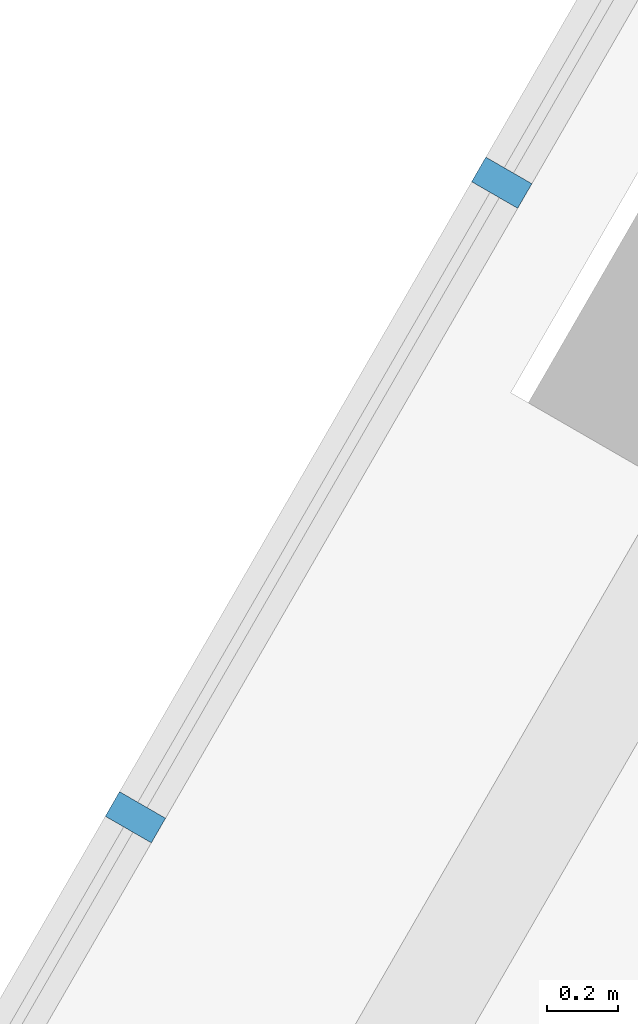
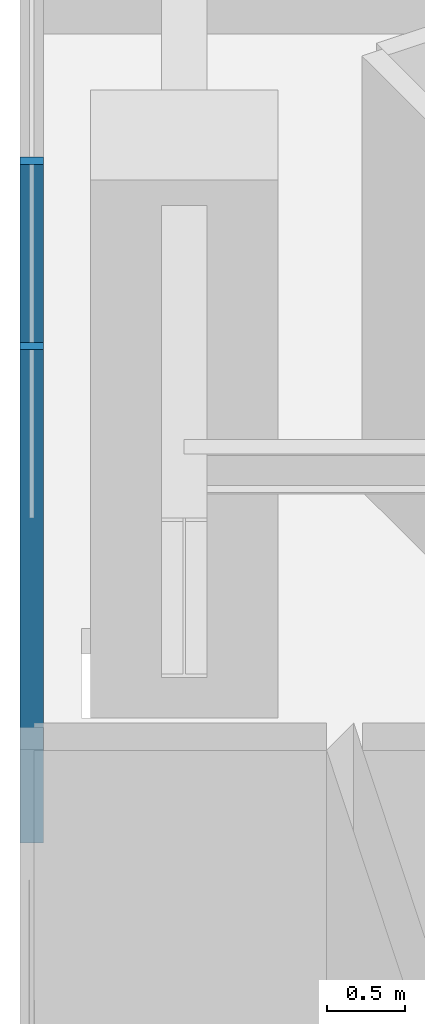
# One storey, part 6 of 29: 2 members, 1 element without a shape of its own.
"""IFC4 building model written with IfcOpenShell, lengths in metres."""

from ifc_helpers import new_model, si_unit, direction, frame, origin, origin_2d, place, context, subcontext, project, spatial, rectangle, extrude, material, layer, layer_set, material_profile, profile_set, type_object, element, aggregate, save


model = new_model("IFC4")

# Units and contexts
model_context = context("Model", 3, precision=1e-05, world=origin(), true_north=direction((0.0, 1.0)))
body_context = subcontext(model_context, "Body", "Model", "MODEL_VIEW")
ifc_project = project(units=[si_unit("LENGTHUNIT", "METRE"), si_unit("AREAUNIT", "SQUARE_METRE"), si_unit("VOLUMEUNIT", "CUBIC_METRE"), si_unit("PLANEANGLEUNIT", "RADIAN"), si_unit("MASSUNIT", "GRAM", prefix="KILO")], contexts=[model_context])

# Site, building, storey
site_placement = place(None, origin())
site = spatial("IfcSite", under=ifc_project, at=site_placement, CompositionType="ELEMENT")
building_placement = place(site_placement, origin())
building = spatial("IfcBuilding", under=site, at=building_placement, Name="Firuza Gate Tower and Library", CompositionType="ELEMENT")
storey_placement = place(building_placement, frame((0.0, 0.0, 48.39990234375)))
storey = spatial("IfcBuildingStorey", under=building, at=storey_placement, Name="L10", CompositionType="ELEMENT", Elevation=48.39990234375)

# Curtain wall, members
ifc_material_1 = material(Name="Aluminium 6063-T6", Category="aluminium")
ifc_layer = layer(ifc_material_1, 0.14990234375)
ifc_layer_set = layer_set([ifc_layer], Name="Unitised curtain wall, offices")
curtain_wall_type = type_object("IfcCurtainWallType", Name="Unitised curtain wall, offices", PredefinedType="NOTDEFINED", material=ifc_layer_set)
curtain_wall_placement = place(storey_placement, origin())
curtain_wall = element("IfcCurtainWall", 1, at=curtain_wall_placement, inside=storey, type_object=curtain_wall_type, Name="CW1 L10 W face", PredefinedType="NOTDEFINED")
ifc_material_2 = material(Name="Aluminium 6063-T6", Category="aluminium")
ifc_material_profile = material_profile(ifc_material_2, rectangle(XDim=0.14990234375, YDim=0.080078125, at=origin_2d()))
ifc_profile_set = profile_set([ifc_material_profile], Name="Aluminium 6063-T6")
member_type = type_object("IfcMemberType", Name="Curtain wall mullion 80x150", PredefinedType="MULLION", material=ifc_profile_set)
member_1_placement = place(storey_placement, frame((56.984130859375, 85.4013671875, 0.150146484375), z_axis=(0.0, 0.0, 1.0), x_axis=(0.866025403784, -0.5, 0.0)))
member_1 = element("IfcMember", 2, at=member_1_placement, type_object=member_type, Name="Mullion", PredefinedType="MULLION", context=body_context, shape_type="SweptSolid", body=[
    extrude(rectangle(XDim=0.14990234375, YDim=0.080078125, at=origin_2d()), origin(), (0.0, 0.0, 1.0), 3.849853515625),
])
member_2_placement = place(storey_placement, frame((55.951171875, 83.612060546875, 0.150146484375), z_axis=(0.0, 0.0, 1.0), x_axis=(0.866025403784, -0.5, 0.0)))
member_2 = element("IfcMember", 3, at=member_2_placement, type_object=member_type, Name="Mullion", PredefinedType="MULLION", context=body_context, shape_type="SweptSolid", body=[
    extrude(rectangle(XDim=0.14990234375, YDim=0.080078125, at=origin_2d()), origin(), (0.0, 0.0, 1.0), 3.849853515625),
])
aggregate(curtain_wall, [member_1, member_2])

save(model, "model.ifc")
